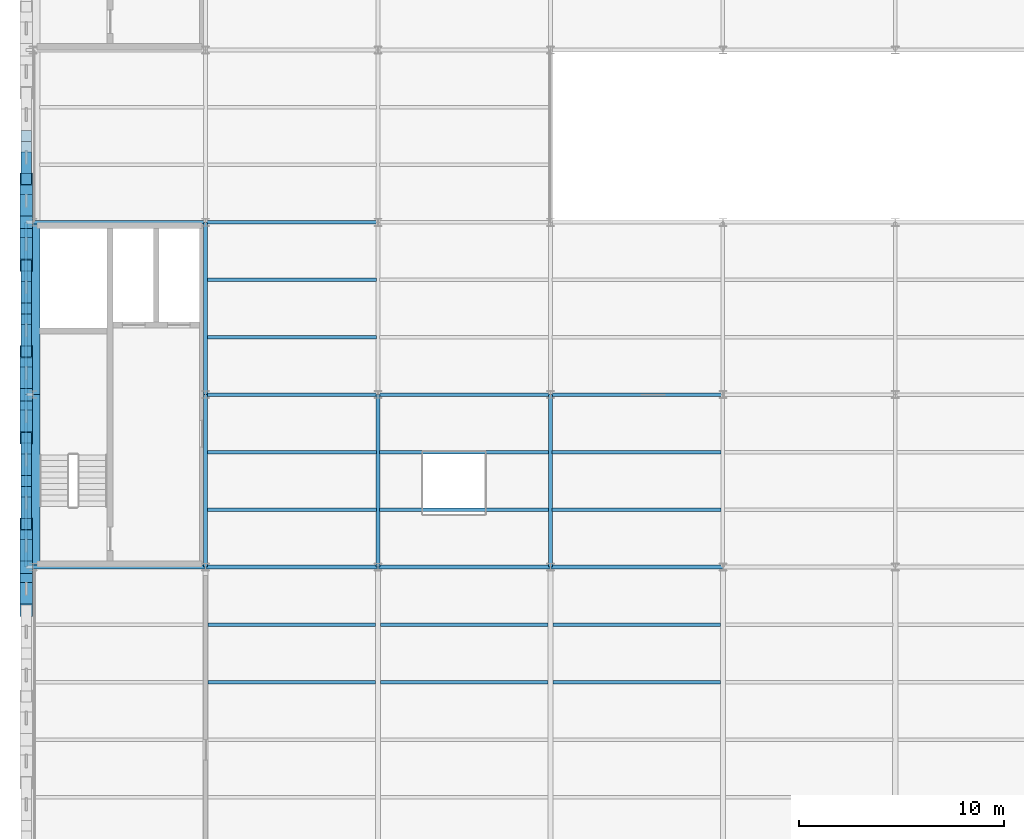
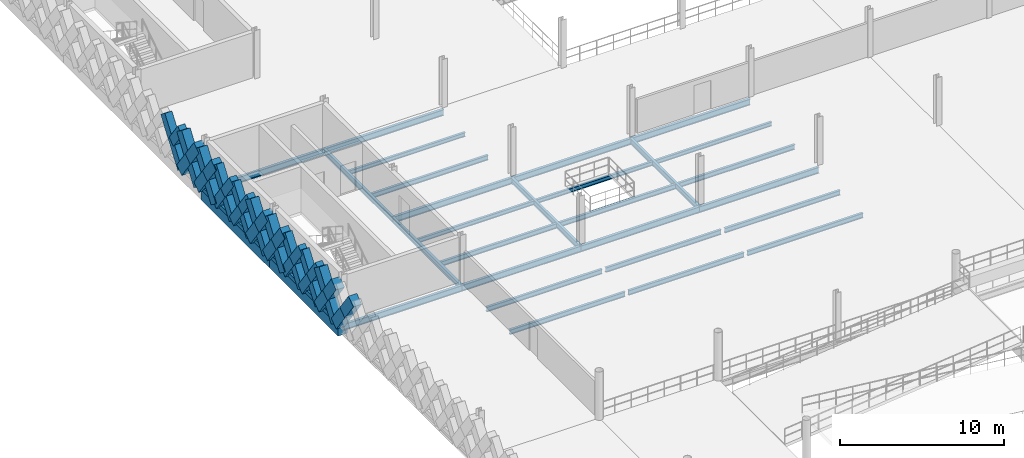
# One storey, part 17 of 62: 33 members, 29 beams.
"""IFC4 building model written with IfcOpenShell, lengths in metres."""

from ifc_helpers import new_model, si_unit, direction, frame, origin, origin_2d, place, context, subcontext, project, spatial, rectangle, hollow_rectangle, i_section, extrude, material, material_profile, profile_set, type_object, element, save


model = new_model("IFC4")

# Units and contexts
model_context = context("Model", 3, precision=1e-05, world=origin(), true_north=direction((0.0, 1.0)))
body_context = subcontext(model_context, "Body", "Model", "MODEL_VIEW")
ifc_project = project(units=[si_unit("LENGTHUNIT", "METRE"), si_unit("AREAUNIT", "SQUARE_METRE"), si_unit("VOLUMEUNIT", "CUBIC_METRE"), si_unit("PLANEANGLEUNIT", "RADIAN"), si_unit("MASSUNIT", "GRAM", prefix="KILO"), si_unit("THERMODYNAMICTEMPERATUREUNIT", "KELVIN"), si_unit("POWERUNIT", "WATT")], contexts=[model_context])

# Site, building, storey
site_placement = place(None, origin())
site = spatial("IfcSite", under=ifc_project, at=site_placement, CompositionType="ELEMENT")
building_placement = place(site_placement, origin())
building = spatial("IfcBuilding", under=site, at=building_placement, Name="Tembeka Court Mobility Hub", CompositionType="ELEMENT")
storey_placement = place(building_placement, frame((0.0, 0.0, 16.199951171875)))
storey = spatial("IfcBuildingStorey", under=building, at=storey_placement, Name="L04", CompositionType="ELEMENT", Elevation=16.199951171875)

# Beams
ifc_material_1 = material(Name="Steel S355", Category="steel")
ifc_material_profile_1 = material_profile(ifc_material_1, i_section(OverallWidth=0.18994140625, OverallDepth=0.45703125, WebThickness=0.009033203125, FlangeThickness=0.014404296875, FilletRadius=0.01025390625, at=origin_2d()), Name="UKB 457x191x74")
ifc_profile_set_1 = profile_set([ifc_material_profile_1], Name="Steel S355")
beam_type_1 = type_object("IfcBeamType", Name="BM-B01", PredefinedType="BEAM", material=ifc_profile_set_1)
beam_1_placement = place(storey_placement, frame((0.0, 38.39990234375, -0.448486328125), z_axis=(1.0, 0.0, 0.0), x_axis=(0.0, 1.0, 0.0)))
element("IfcBeam", 1, at=beam_1_placement, inside=storey, type_object=beam_type_1, Name="Beam B01 (BM-L04-X2221)", PredefinedType="BEAM", context=body_context, shape_type="SweptSolid", body=[
    extrude(i_section(OverallWidth=0.18994140625, OverallDepth=0.45703125, WebThickness=0.009033203125, FlangeThickness=0.014404296875, FilletRadius=0.01025390625, at=origin_2d()), origin(), (0.0, 0.0, 1.0), 8.39990234375),
])
beam_2_placement = place(storey_placement, frame((8.39990234375, 38.39990234375, -0.448486328125), z_axis=(1.0, 0.0, 0.0), x_axis=(0.0, 1.0, 0.0)))
element("IfcBeam", 2, at=beam_2_placement, inside=storey, type_object=beam_type_1, Name="Beam B01 (BM-L04-X2222)", PredefinedType="BEAM", context=body_context, shape_type="SweptSolid", body=[
    extrude(i_section(OverallWidth=0.18994140625, OverallDepth=0.45703125, WebThickness=0.009033203125, FlangeThickness=0.014404296875, FilletRadius=0.01025390625, at=origin_2d()), origin(), (0.0, 0.0, 1.0), 8.400146484375),
])
beam_3_placement = place(storey_placement, frame((16.800048828125, 38.39990234375, -0.448486328125), z_axis=(1.0, 0.0, 0.0), x_axis=(0.0, 1.0, 0.0)))
element("IfcBeam", 3, at=beam_3_placement, inside=storey, type_object=beam_type_1, Name="Beam B01 (BM-L04-X2223)", PredefinedType="BEAM", context=body_context, shape_type="SweptSolid", body=[
    extrude(i_section(OverallWidth=0.18994140625, OverallDepth=0.45703125, WebThickness=0.009033203125, FlangeThickness=0.014404296875, FilletRadius=0.01025390625, at=origin_2d()), origin(), (0.0, 0.0, 1.0), 8.39990234375),
])
for number, where, z_axis, x_axis, name in (
    (4, (25.199951171875, 38.39990234375, -0.448486328125), (1.0, 0.0, 0.0), (0.0, 1.0, 0.0), "Beam B01 (BM-L04-X2224)"),
    (5, (8.39990234375, 46.800048828125, -0.448486328125), (1.0, 0.0, 0.0), (0.0, 1.0, 0.0), "Beam B01 (BM-L04-X2234)"),
):
    element("IfcBeam", number, at=place(storey_placement, frame(where, z_axis=z_axis, x_axis=x_axis)), inside=storey, type_object=beam_type_1, Name=name, PredefinedType="BEAM", context=body_context, shape_type="SweptSolid", body=[
        extrude(i_section(OverallWidth=0.18994140625, OverallDepth=0.45703125, WebThickness=0.009033203125, FlangeThickness=0.014404296875, FilletRadius=0.01025390625, at=origin_2d()), origin(), (0.0, 0.0, 1.0), 8.400146484375),
    ])
beam_4_placement = place(storey_placement, frame((16.800048828125, 46.800048828125, -0.448486328125), z_axis=(1.0, 0.0, 0.0), x_axis=(0.0, 1.0, 0.0)))
element("IfcBeam", 6, at=beam_4_placement, inside=storey, type_object=beam_type_1, Name="Beam B01 (BM-L04-X2235)", PredefinedType="BEAM", context=body_context, shape_type="SweptSolid", body=[
    extrude(i_section(OverallWidth=0.18994140625, OverallDepth=0.45703125, WebThickness=0.009033203125, FlangeThickness=0.014404296875, FilletRadius=0.01025390625, at=origin_2d()), origin(), (0.0, 0.0, 1.0), 8.39990234375),
])
beam_5_placement = place(storey_placement, frame((25.199951171875, 46.800048828125, -0.448486328125), z_axis=(1.0, 0.0, 0.0), x_axis=(0.0, 1.0, 0.0)))
element("IfcBeam", 7, at=beam_5_placement, inside=storey, type_object=beam_type_1, Name="Beam B01 (BM-L04-X2236)", PredefinedType="BEAM", context=body_context, shape_type="SweptSolid", body=[
    extrude(i_section(OverallWidth=0.18994140625, OverallDepth=0.45703125, WebThickness=0.009033203125, FlangeThickness=0.014404296875, FilletRadius=0.01025390625, at=origin_2d()), origin(), (0.0, 0.0, 1.0), 8.400146484375),
])
beam_6_placement = place(storey_placement, frame((0.0, 55.199951171875, -0.448486328125), z_axis=(1.0, 0.0, 0.0), x_axis=(0.0, 1.0, 0.0)))
element("IfcBeam", 8, at=beam_6_placement, inside=storey, type_object=beam_type_1, Name="Beam B01 (BM-L04-X2245)", PredefinedType="BEAM", context=body_context, shape_type="SweptSolid", body=[
    extrude(i_section(OverallWidth=0.18994140625, OverallDepth=0.45703125, WebThickness=0.009033203125, FlangeThickness=0.014404296875, FilletRadius=0.01025390625, at=origin_2d()), origin(), (0.0, 0.0, 1.0), 8.39990234375),
])
beam_7_placement = place(storey_placement, frame((8.39990234375, 55.199951171875, -0.448486328125), z_axis=(1.0, 0.0, 0.0), x_axis=(0.0, 1.0, 0.0)))
element("IfcBeam", 9, at=beam_7_placement, inside=storey, type_object=beam_type_1, Name="Beam B01 (BM-L04-X2246)", PredefinedType="BEAM", context=body_context, shape_type="SweptSolid", body=[
    extrude(i_section(OverallWidth=0.18994140625, OverallDepth=0.45703125, WebThickness=0.009033203125, FlangeThickness=0.014404296875, FilletRadius=0.01025390625, at=origin_2d()), origin(), (0.0, 0.0, 1.0), 8.400146484375),
])
ifc_material_profile_2 = material_profile(ifc_material_1, i_section(OverallWidth=0.177978515625, OverallDepth=0.406005859375, WebThickness=0.0078125, FlangeThickness=0.0126953125, FilletRadius=0.01025390625, at=origin_2d()), Name="UKB 406x178x60")
ifc_profile_set_2 = profile_set([ifc_material_profile_2], Name="Steel S355")
beam_type_2 = type_object("IfcBeamType", Name="BM-B02", PredefinedType="BEAM", material=ifc_profile_set_2)
beam_8_placement = place(storey_placement, frame((8.39990234375, 38.39990234375, -0.4228515625), z_axis=(0.0, 1.0, 0.0), x_axis=(-1.0, 0.0, 0.0)))
element("IfcBeam", 10, at=beam_8_placement, inside=storey, type_object=beam_type_2, Name="Beam B02 (BM-L04-Y2327)", PredefinedType="BEAM", context=body_context, shape_type="SweptSolid", body=[
    extrude(i_section(OverallWidth=0.177978515625, OverallDepth=0.406005859375, WebThickness=0.0078125, FlangeThickness=0.0126953125, FilletRadius=0.01025390625, at=origin_2d()), origin(), (0.0, 0.0, 1.0), 8.400146484375),
])
beam_9_placement = place(storey_placement, frame((8.39990234375, 46.800048828125, -0.4228515625), z_axis=(0.0, 1.0, 0.0), x_axis=(-1.0, 0.0, 0.0)))
element("IfcBeam", 11, at=beam_9_placement, inside=storey, type_object=beam_type_2, Name="Beam B02 (BM-L04-Y2328)", PredefinedType="BEAM", context=body_context, shape_type="SweptSolid", body=[
    extrude(i_section(OverallWidth=0.177978515625, OverallDepth=0.406005859375, WebThickness=0.0078125, FlangeThickness=0.0126953125, FilletRadius=0.01025390625, at=origin_2d()), origin(), (0.0, 0.0, 1.0), 8.39990234375),
])
for number, where, z_axis, x_axis, name in (
    (12, (16.800048828125, 38.39990234375, -0.4228515625), (0.0, 1.0, 0.0), (-1.0, 0.0, 0.0), "Beam B02 (BM-L04-Y2338)"),
    (13, (25.199951171875, 38.39990234375, -0.4228515625), (0.0, 1.0, 0.0), (-1.0, 0.0, 0.0), "Beam B02 (BM-L04-Y2347)"),
):
    element("IfcBeam", number, at=place(storey_placement, frame(where, z_axis=z_axis, x_axis=x_axis)), inside=storey, type_object=beam_type_2, Name=name, PredefinedType="BEAM", context=body_context, shape_type="SweptSolid", body=[
        extrude(i_section(OverallWidth=0.177978515625, OverallDepth=0.406005859375, WebThickness=0.0078125, FlangeThickness=0.0126953125, FilletRadius=0.01025390625, at=origin_2d()), origin(), (0.0, 0.0, 1.0), 8.400146484375),
    ])
ifc_material_profile_3 = material_profile(ifc_material_1, i_section(OverallWidth=0.172119140625, OverallDepth=0.35498046875, WebThickness=0.00732421875, FlangeThickness=0.011474609375, FilletRadius=0.01025390625, at=origin_2d()), Name="UKB 356x171x51")
ifc_profile_set_3 = profile_set([ifc_material_profile_3], Name="Steel S355")
beam_type_3 = type_object("IfcBeamType", Name="BM-J01", PredefinedType="JOIST", material=ifc_profile_set_3)
for number, where, z_axis, x_axis, name in (
    (14, (8.52197265625, 32.800048828125, -0.3974609375), (1.0, 0.0, 0.0), (0.0, 1.0, 0.0), "Beam J01 (JST-L04-2453)"),
    (15, (8.52197265625, 35.60009765625, -0.3974609375), (1.0, 0.0, 0.0), (0.0, 1.0, 0.0), "Beam J01 (JST-L04-2454)"),
):
    element("IfcBeam", number, at=place(storey_placement, frame(where, z_axis=z_axis, x_axis=x_axis)), inside=storey, type_object=beam_type_3, Name=name, PredefinedType="JOIST", context=body_context, shape_type="SweptSolid", body=[
        extrude(i_section(OverallWidth=0.172119140625, OverallDepth=0.35498046875, WebThickness=0.00732421875, FlangeThickness=0.011474609375, FilletRadius=0.01025390625, at=origin_2d()), origin(), (0.0, 0.0, 1.0), 8.156005859375),
    ])
for number, where, z_axis, x_axis, name in (
    (16, (16.922119140625, 32.800048828125, -0.3974609375), (1.0, 0.0, 0.0), (0.0, 1.0, 0.0), "Beam J01 (JST-L04-2473)"),
    (17, (16.922119140625, 35.60009765625, -0.3974609375), (1.0, 0.0, 0.0), (0.0, 1.0, 0.0), "Beam J01 (JST-L04-2474)"),
):
    element("IfcBeam", number, at=place(storey_placement, frame(where, z_axis=z_axis, x_axis=x_axis)), inside=storey, type_object=beam_type_3, Name=name, PredefinedType="JOIST", context=body_context, shape_type="SweptSolid", body=[
        extrude(i_section(OverallWidth=0.172119140625, OverallDepth=0.35498046875, WebThickness=0.00732421875, FlangeThickness=0.011474609375, FilletRadius=0.01025390625, at=origin_2d()), origin(), (0.0, 0.0, 1.0), 8.15576171875),
    ])
for number, where, z_axis, x_axis, name in (
    (18, (25.322021484375, 32.800048828125, -0.3974609375), (1.0, 0.0, 0.0), (0.0, 1.0, 0.0), "Beam J01 (JST-L04-2493)"),
    (19, (25.322021484375, 35.60009765625, -0.3974609375), (1.0, 0.0, 0.0), (0.0, 1.0, 0.0), "Beam J01 (JST-L04-2494)"),
):
    element("IfcBeam", number, at=place(storey_placement, frame(where, z_axis=z_axis, x_axis=x_axis)), inside=storey, type_object=beam_type_3, Name=name, PredefinedType="JOIST", context=body_context, shape_type="SweptSolid", body=[
        extrude(i_section(OverallWidth=0.172119140625, OverallDepth=0.35498046875, WebThickness=0.00732421875, FlangeThickness=0.011474609375, FilletRadius=0.01025390625, at=origin_2d()), origin(), (0.0, 0.0, 1.0), 8.156005859375),
    ])
ifc_material_profile_4 = material_profile(ifc_material_1, i_section(OverallWidth=0.1650390625, OverallDepth=0.303955078125, WebThickness=0.006103515625, FlangeThickness=0.01025390625, FilletRadius=0.0087890625, at=origin_2d()), Name="UKB 305x165x40")
ifc_profile_set_4 = profile_set([ifc_material_profile_4], Name="Steel S355")
beam_type_4 = type_object("IfcBeamType", Name="BM-J02", PredefinedType="JOIST", material=ifc_profile_set_4)
for number, where, z_axis, x_axis, name in (
    (20, (8.48388671875, 44.0, -0.3720703125), (1.0, 0.0, 0.0), (0.0, 1.0, 0.0), "Beam J02 (JST-L04-2456)"),
    (21, (8.48388671875, 52.39990234375, -0.3720703125), (1.0, 0.0, 0.0), (0.0, 1.0, 0.0), "Beam J02 (JST-L04-2458)"),
):
    element("IfcBeam", number, at=place(storey_placement, frame(where, z_axis=z_axis, x_axis=x_axis)), inside=storey, type_object=beam_type_4, Name=name, PredefinedType="JOIST", context=body_context, shape_type="SweptSolid", body=[
        extrude(i_section(OverallWidth=0.1650390625, OverallDepth=0.303955078125, WebThickness=0.006103515625, FlangeThickness=0.01025390625, FilletRadius=0.0087890625, at=origin_2d()), origin(), (0.0, 0.0, 1.0), 8.232177734375),
    ])
beam_10_placement = place(storey_placement, frame((16.884033203125, 44.0, -0.3720703125), z_axis=(1.0, 0.0, 0.0), x_axis=(0.0, 1.0, 0.0)))
element("IfcBeam", 22, at=beam_10_placement, inside=storey, type_object=beam_type_4, Name="Beam J02 (JST-L04-2476)", PredefinedType="JOIST", context=body_context, shape_type="SweptSolid", body=[
    extrude(i_section(OverallWidth=0.1650390625, OverallDepth=0.303955078125, WebThickness=0.006103515625, FlangeThickness=0.01025390625, FilletRadius=0.0087890625, at=origin_2d()), origin(), (0.0, 0.0, 1.0), 8.23193359375),
])
beam_11_placement = place(storey_placement, frame((25.283935546875, 44.0, -0.3720703125), z_axis=(1.0, 0.0, 0.0), x_axis=(0.0, 1.0, 0.0)))
element("IfcBeam", 23, at=beam_11_placement, inside=storey, type_object=beam_type_4, Name="Beam J02 (JST-L04-2496)", PredefinedType="JOIST", context=body_context, shape_type="SweptSolid", body=[
    extrude(i_section(OverallWidth=0.1650390625, OverallDepth=0.303955078125, WebThickness=0.006103515625, FlangeThickness=0.01025390625, FilletRadius=0.0087890625, at=origin_2d()), origin(), (0.0, 0.0, 1.0), 8.232177734375),
])
ifc_material_profile_5 = material_profile(ifc_material_1, i_section(OverallWidth=0.169921875, OverallDepth=0.360107421875, WebThickness=0.008056640625, FlangeThickness=0.0126953125, FilletRadius=0.01806640625, at=origin_2d()), Name="IPE 360")
ifc_profile_set_5 = profile_set([ifc_material_profile_5], Name="Steel S355")
beam_type_5 = type_object("IfcBeamType", Name="BM-J03", PredefinedType="JOIST", material=ifc_profile_set_5)
for number, where, z_axis, x_axis, name in (
    (24, (8.48388671875, 41.199951171875, -0.39990234375), (1.0, 0.0, 0.0), (0.0, 1.0, 0.0), "Beam J03 (JST-L04-2455)"),
    (25, (8.48388671875, 49.60009765625, -0.39990234375), (1.0, 0.0, 0.0), (0.0, 1.0, 0.0), "Beam J03 (JST-L04-2457)"),
):
    element("IfcBeam", number, at=place(storey_placement, frame(where, z_axis=z_axis, x_axis=x_axis)), inside=storey, type_object=beam_type_5, Name=name, PredefinedType="JOIST", context=body_context, shape_type="SweptSolid", body=[
        extrude(i_section(OverallWidth=0.169921875, OverallDepth=0.360107421875, WebThickness=0.008056640625, FlangeThickness=0.0126953125, FilletRadius=0.01806640625, at=origin_2d()), origin(), (0.0, 0.0, 1.0), 8.232177734375),
    ])
beam_12_placement = place(storey_placement, frame((16.884033203125, 41.199951171875, -0.39990234375), z_axis=(1.0, 0.0, 0.0), x_axis=(0.0, 1.0, 0.0)))
element("IfcBeam", 26, at=beam_12_placement, inside=storey, type_object=beam_type_5, Name="Beam J03 (JST-L04-2475)", PredefinedType="JOIST", context=body_context, shape_type="SweptSolid", body=[
    extrude(i_section(OverallWidth=0.169921875, OverallDepth=0.360107421875, WebThickness=0.008056640625, FlangeThickness=0.0126953125, FilletRadius=0.01806640625, at=origin_2d()), origin(), (0.0, 0.0, 1.0), 8.23193359375),
])
beam_13_placement = place(storey_placement, frame((25.283935546875, 41.199951171875, -0.39990234375), z_axis=(1.0, 0.0, 0.0), x_axis=(0.0, 1.0, 0.0)))
element("IfcBeam", 27, at=beam_13_placement, inside=storey, type_object=beam_type_5, Name="Beam J03 (JST-L04-2495)", PredefinedType="JOIST", context=body_context, shape_type="SweptSolid", body=[
    extrude(i_section(OverallWidth=0.169921875, OverallDepth=0.360107421875, WebThickness=0.008056640625, FlangeThickness=0.0126953125, FilletRadius=0.01806640625, at=origin_2d()), origin(), (0.0, 0.0, 1.0), 8.232177734375),
])
ifc_material_2 = material(Name="Precast concrete C45/55", Category="concrete")
ifc_material_profile_6 = material_profile(ifc_material_2, rectangle(XDim=0.64990234375, YDim=0.800048828125, at=origin_2d()), Name="PC-SP 650x800")
ifc_profile_set_6 = profile_set([ifc_material_profile_6], Name="Precast concrete C45/55")
beam_type_6 = type_object("IfcBeamType", Name="BM-SP01", PredefinedType="SPANDREL", material=ifc_profile_set_6)
beam_14_placement = place(storey_placement, frame((0.0, 38.39990234375, -0.619873046875), z_axis=(0.0, 1.0, 0.0), x_axis=(-1.0, 0.0, 0.0)))
element("IfcBeam", 28, at=beam_14_placement, inside=storey, type_object=beam_type_6, Name="Beam SP01 (BM-L04-Y2316)", PredefinedType="SPANDREL", context=body_context, shape_type="SweptSolid", body=[
    extrude(rectangle(XDim=0.64990234375, YDim=0.800048828125, at=origin_2d()), origin(), (0.0, 0.0, 1.0), 8.400146484375),
])
beam_15_placement = place(storey_placement, frame((0.0, 46.800048828125, -0.619873046875), z_axis=(0.0, 1.0, 0.0), x_axis=(-1.0, 0.0, 0.0)))
element("IfcBeam", 29, at=beam_15_placement, inside=storey, type_object=beam_type_6, Name="Beam SP01 (BM-L04-Y2317)", PredefinedType="SPANDREL", context=body_context, shape_type="SweptSolid", body=[
    extrude(rectangle(XDim=0.64990234375, YDim=0.800048828125, at=origin_2d()), origin(), (0.0, 0.0, 1.0), 8.39990234375),
])

# Members
ifc_material_profile_7 = material_profile(ifc_material_2, rectangle(XDim=0.5, YDim=0.64990234375, at=origin_2d()), Name="PC-DIAG 500x650")
ifc_profile_set_7 = profile_set([ifc_material_profile_7], Name="Precast concrete C45/55")
member_type_1 = type_object("IfcMemberType", Name="MEM-DL01", PredefinedType="BRACE", material=ifc_profile_set_7)
member_1_placement = place(storey_placement, frame((-0.340087890625, 40.5, 0.02001953125), z_axis=(0.0, 0.582576362011, 0.812775973086), x_axis=(-1.0, 0.0, 0.0)))
element("IfcMember", 30, at=member_1_placement, inside=storey, type_object=member_type_1, Name="Precast diamond lattice continuous strand DL01 (L04-696C)", PredefinedType="BRACE", context=body_context, shape_type="SweptSolid", body=[
    extrude(rectangle(XDim=0.5, YDim=0.64990234375, at=origin_2d()), origin(), (0.0, 0.0, 1.0), 3.604736328125),
])
member_2_placement = place(storey_placement, frame((-0.340087890625, 42.60009765625, 0.02001953125), z_axis=(0.0, -0.582544294934, 0.812798956963), x_axis=(1.0, 0.0, 0.0)))
element("IfcMember", 31, at=member_2_placement, inside=storey, type_object=member_type_1, Name="Precast diamond lattice split lower strand DL01 (L04-696D1)", PredefinedType="BRACE", context=body_context, shape_type="SweptSolid", body=[
    extrude(rectangle(XDim=0.5, YDim=0.64990234375, at=origin_2d()), origin(), (0.0, 0.0, 1.0), 1.802490234375),
])
member_3_placement = place(storey_placement, frame((-0.340087890625, 41.550048828125, 1.485107421875), z_axis=(0.0, -0.582608431711, 0.812752985414), x_axis=(1.0, 0.0, 0.0)))
element("IfcMember", 32, at=member_3_placement, inside=storey, type_object=member_type_1, Name="Precast diamond lattice split upper strand DL01 (L04-696D2)", PredefinedType="BRACE", context=body_context, shape_type="SweptSolid", body=[
    extrude(rectangle(XDim=0.5, YDim=0.64990234375, at=origin_2d()), origin(), (0.0, 0.0, 1.0), 1.80224609375),
])
member_4_placement = place(storey_placement, frame((-0.340087890625, 42.60009765625, 0.02001953125), z_axis=(0.0, 0.58253161945, 0.812808041509), x_axis=(-1.0, 0.0, 0.0)))
element("IfcMember", 33, at=member_4_placement, inside=storey, type_object=member_type_1, Name="Precast diamond lattice continuous strand DL01 (L04-697C)", PredefinedType="BRACE", context=body_context, shape_type="SweptSolid", body=[
    extrude(rectangle(XDim=0.5, YDim=0.64990234375, at=origin_2d()), origin(), (0.0, 0.0, 1.0), 3.604736328125),
])
member_5_placement = place(storey_placement, frame((-0.340087890625, 44.699951171875, 0.02001953125), z_axis=(0.0, -0.582544294934, 0.812798956963), x_axis=(1.0, 0.0, 0.0)))
element("IfcMember", 34, at=member_5_placement, inside=storey, type_object=member_type_1, Name="Precast diamond lattice split lower strand DL01 (L04-697D1)", PredefinedType="BRACE", context=body_context, shape_type="SweptSolid", body=[
    extrude(rectangle(XDim=0.5, YDim=0.64990234375, at=origin_2d()), origin(), (0.0, 0.0, 1.0), 1.802490234375),
])
member_6_placement = place(storey_placement, frame((-0.340087890625, 43.64990234375, 1.485107421875), z_axis=(0.0, -0.582518941428, 0.812817127574), x_axis=(1.0, 0.0, 0.0)))
element("IfcMember", 35, at=member_6_placement, inside=storey, type_object=member_type_1, Name="Precast diamond lattice split upper strand DL01 (L04-697D2)", PredefinedType="BRACE", context=body_context, shape_type="SweptSolid", body=[
    extrude(rectangle(XDim=0.5, YDim=0.64990234375, at=origin_2d()), origin(), (0.0, 0.0, 1.0), 1.80224609375),
])
member_7_placement = place(storey_placement, frame((-0.340087890625, 48.89990234375, 0.02001953125), z_axis=(0.0, 0.582576362011, 0.812775973086), x_axis=(-1.0, 0.0, 0.0)))
element("IfcMember", 36, at=member_7_placement, inside=storey, type_object=member_type_1, Name="Precast diamond lattice continuous strand DL01 (L04-700C)", PredefinedType="BRACE", context=body_context, shape_type="SweptSolid", body=[
    extrude(rectangle(XDim=0.5, YDim=0.64990234375, at=origin_2d()), origin(), (0.0, 0.0, 1.0), 3.604736328125),
])
member_8_placement = place(storey_placement, frame((-0.340087890625, 51.0, 0.02001953125), z_axis=(0.0, -0.582544294934, 0.812798956963), x_axis=(1.0, 0.0, 0.0)))
element("IfcMember", 37, at=member_8_placement, inside=storey, type_object=member_type_1, Name="Precast diamond lattice split lower strand DL01 (L04-700D1)", PredefinedType="BRACE", context=body_context, shape_type="SweptSolid", body=[
    extrude(rectangle(XDim=0.5, YDim=0.64990234375, at=origin_2d()), origin(), (0.0, 0.0, 1.0), 1.802490234375),
])
member_9_placement = place(storey_placement, frame((-0.340087890625, 49.949951171875, 1.485107421875), z_axis=(0.0, -0.582608431711, 0.812752985414), x_axis=(1.0, 0.0, 0.0)))
element("IfcMember", 38, at=member_9_placement, inside=storey, type_object=member_type_1, Name="Precast diamond lattice split upper strand DL01 (L04-700D2)", PredefinedType="BRACE", context=body_context, shape_type="SweptSolid", body=[
    extrude(rectangle(XDim=0.5, YDim=0.64990234375, at=origin_2d()), origin(), (0.0, 0.0, 1.0), 1.80224609375),
])
member_10_placement = place(storey_placement, frame((-0.340087890625, 51.0, 0.02001953125), z_axis=(0.0, 0.582576362011, 0.812775973086), x_axis=(-1.0, 0.0, 0.0)))
element("IfcMember", 39, at=member_10_placement, inside=storey, type_object=member_type_1, Name="Precast diamond lattice continuous strand DL01 (L04-701C)", PredefinedType="BRACE", context=body_context, shape_type="SweptSolid", body=[
    extrude(rectangle(XDim=0.5, YDim=0.64990234375, at=origin_2d()), origin(), (0.0, 0.0, 1.0), 3.604736328125),
])
member_11_placement = place(storey_placement, frame((-0.340087890625, 53.10009765625, 0.02001953125), z_axis=(0.0, -0.582544294934, 0.812798956963), x_axis=(1.0, 0.0, 0.0)))
element("IfcMember", 40, at=member_11_placement, inside=storey, type_object=member_type_1, Name="Precast diamond lattice split lower strand DL01 (L04-701D1)", PredefinedType="BRACE", context=body_context, shape_type="SweptSolid", body=[
    extrude(rectangle(XDim=0.5, YDim=0.64990234375, at=origin_2d()), origin(), (0.0, 0.0, 1.0), 1.802490234375),
])
member_12_placement = place(storey_placement, frame((-0.340087890625, 52.050048828125, 1.485107421875), z_axis=(0.0, -0.582608431711, 0.812752985414), x_axis=(1.0, 0.0, 0.0)))
element("IfcMember", 41, at=member_12_placement, inside=storey, type_object=member_type_1, Name="Precast diamond lattice split upper strand DL01 (L04-701D2)", PredefinedType="BRACE", context=body_context, shape_type="SweptSolid", body=[
    extrude(rectangle(XDim=0.5, YDim=0.64990234375, at=origin_2d()), origin(), (0.0, 0.0, 1.0), 1.80224609375),
])
member_13_placement = place(storey_placement, frame((-0.340087890625, 57.300048828125, 0.02001953125), z_axis=(0.0, 0.58253161945, 0.812808041509), x_axis=(-1.0, 0.0, 0.0)))
element("IfcMember", 42, at=member_13_placement, inside=storey, type_object=member_type_1, Name="Precast diamond lattice continuous strand DL01 (L04-704C)", PredefinedType="BRACE", context=body_context, shape_type="SweptSolid", body=[
    extrude(rectangle(XDim=0.5, YDim=0.64990234375, at=origin_2d()), origin(), (0.0, 0.0, 1.0), 3.604736328125),
])
member_14_placement = place(storey_placement, frame((-0.340087890625, 58.35009765625, 1.485107421875), z_axis=(0.0, -0.582608431711, 0.812752985414), x_axis=(1.0, 0.0, 0.0)))
element("IfcMember", 43, at=member_14_placement, inside=storey, type_object=member_type_1, Name="Precast diamond lattice split upper strand DL01 (L04-704D2)", PredefinedType="BRACE", context=body_context, shape_type="SweptSolid", body=[
    extrude(rectangle(XDim=0.5, YDim=0.64990234375, at=origin_2d()), origin(), (0.0, 0.0, 1.0), 1.80224609375),
])
ifc_material_profile_8 = material_profile(ifc_material_2, rectangle(XDim=0.60009765625, YDim=0.75, at=origin_2d()), Name="PC-DIAG 600x750")
ifc_profile_set_8 = profile_set([ifc_material_profile_8], Name="Precast concrete C45/55")
member_type_2 = type_object("IfcMemberType", Name="MEM-DL02", PredefinedType="BRACE", material=ifc_profile_set_8)
member_15_placement = place(storey_placement, frame((-0.340087890625, 38.39990234375, 0.02001953125), z_axis=(0.0, -0.582454804382, 0.812863088627), x_axis=(1.0, 0.0, 0.0)))
element("IfcMember", 44, at=member_15_placement, inside=storey, type_object=member_type_2, Name="Precast diamond lattice split lower strand DL02 (L04-694D1)", PredefinedType="BRACE", context=body_context, shape_type="SweptSolid", body=[
    extrude(rectangle(XDim=0.60009765625, YDim=0.75, at=origin_2d()), origin(), (0.0, 0.0, 1.0), 1.802490234375),
])
member_16_placement = place(storey_placement, frame((-0.340087890625, 37.35009765625, 1.485107421875), z_axis=(0.0, -0.582608431711, 0.812752985414), x_axis=(1.0, 0.0, 0.0)))
element("IfcMember", 45, at=member_16_placement, inside=storey, type_object=member_type_2, Name="Precast diamond lattice split upper strand DL02 (L04-694D2)", PredefinedType="BRACE", context=body_context, shape_type="SweptSolid", body=[
    extrude(rectangle(XDim=0.60009765625, YDim=0.75, at=origin_2d()), origin(), (0.0, 0.0, 1.0), 1.80224609375),
])
member_17_placement = place(storey_placement, frame((-0.340087890625, 38.39990234375, 0.02001953125), z_axis=(0.0, 0.582576362011, 0.812775973086), x_axis=(-1.0, 0.0, 0.0)))
element("IfcMember", 46, at=member_17_placement, inside=storey, type_object=member_type_2, Name="Precast diamond lattice continuous strand DL02 (L04-695C)", PredefinedType="BRACE", context=body_context, shape_type="SweptSolid", body=[
    extrude(rectangle(XDim=0.60009765625, YDim=0.75, at=origin_2d()), origin(), (0.0, 0.0, 1.0), 3.604736328125),
])
member_18_placement = place(storey_placement, frame((-0.340087890625, 40.5, 0.02001953125), z_axis=(0.0, -0.582544294934, 0.812798956963), x_axis=(1.0, 0.0, 0.0)))
element("IfcMember", 47, at=member_18_placement, inside=storey, type_object=member_type_2, Name="Precast diamond lattice split lower strand DL02 (L04-695D1)", PredefinedType="BRACE", context=body_context, shape_type="SweptSolid", body=[
    extrude(rectangle(XDim=0.60009765625, YDim=0.75, at=origin_2d()), origin(), (0.0, 0.0, 1.0), 1.802490234375),
])
member_19_placement = place(storey_placement, frame((-0.340087890625, 39.449951171875, 1.485107421875), z_axis=(0.0, -0.582608431711, 0.812752985414), x_axis=(1.0, 0.0, 0.0)))
element("IfcMember", 48, at=member_19_placement, inside=storey, type_object=member_type_2, Name="Precast diamond lattice split upper strand DL02 (L04-695D2)", PredefinedType="BRACE", context=body_context, shape_type="SweptSolid", body=[
    extrude(rectangle(XDim=0.60009765625, YDim=0.75, at=origin_2d()), origin(), (0.0, 0.0, 1.0), 1.80224609375),
])
member_20_placement = place(storey_placement, frame((-0.340087890625, 44.699951171875, 0.02001953125), z_axis=(0.0, 0.582576362011, 0.812775973086), x_axis=(-1.0, 0.0, 0.0)))
element("IfcMember", 49, at=member_20_placement, inside=storey, type_object=member_type_2, Name="Precast diamond lattice continuous strand DL02 (L04-698C)", PredefinedType="BRACE", context=body_context, shape_type="SweptSolid", body=[
    extrude(rectangle(XDim=0.60009765625, YDim=0.75, at=origin_2d()), origin(), (0.0, 0.0, 1.0), 3.604736328125),
])
member_21_placement = place(storey_placement, frame((-0.340087890625, 46.800048828125, 0.02001953125), z_axis=(0.0, -0.582544294934, 0.812798956963), x_axis=(1.0, 0.0, 0.0)))
element("IfcMember", 50, at=member_21_placement, inside=storey, type_object=member_type_2, Name="Precast diamond lattice split lower strand DL02 (L04-698D1)", PredefinedType="BRACE", context=body_context, shape_type="SweptSolid", body=[
    extrude(rectangle(XDim=0.60009765625, YDim=0.75, at=origin_2d()), origin(), (0.0, 0.0, 1.0), 1.802490234375),
])
member_22_placement = place(storey_placement, frame((-0.340087890625, 45.75, 1.485107421875), z_axis=(0.0, -0.582608431711, 0.812752985414), x_axis=(1.0, 0.0, 0.0)))
element("IfcMember", 51, at=member_22_placement, inside=storey, type_object=member_type_2, Name="Precast diamond lattice split upper strand DL02 (L04-698D2)", PredefinedType="BRACE", context=body_context, shape_type="SweptSolid", body=[
    extrude(rectangle(XDim=0.60009765625, YDim=0.75, at=origin_2d()), origin(), (0.0, 0.0, 1.0), 1.80224609375),
])
member_23_placement = place(storey_placement, frame((-0.340087890625, 46.800048828125, 0.02001953125), z_axis=(0.0, 0.58253161945, 0.812808041509), x_axis=(-1.0, 0.0, 0.0)))
element("IfcMember", 52, at=member_23_placement, inside=storey, type_object=member_type_2, Name="Precast diamond lattice continuous strand DL02 (L04-699C)", PredefinedType="BRACE", context=body_context, shape_type="SweptSolid", body=[
    extrude(rectangle(XDim=0.60009765625, YDim=0.75, at=origin_2d()), origin(), (0.0, 0.0, 1.0), 3.604736328125),
])
member_24_placement = place(storey_placement, frame((-0.340087890625, 48.89990234375, 0.02001953125), z_axis=(0.0, -0.582454804382, 0.812863088627), x_axis=(1.0, 0.0, 0.0)))
element("IfcMember", 53, at=member_24_placement, inside=storey, type_object=member_type_2, Name="Precast diamond lattice split lower strand DL02 (L04-699D1)", PredefinedType="BRACE", context=body_context, shape_type="SweptSolid", body=[
    extrude(rectangle(XDim=0.60009765625, YDim=0.75, at=origin_2d()), origin(), (0.0, 0.0, 1.0), 1.802490234375),
])
member_25_placement = place(storey_placement, frame((-0.340087890625, 47.85009765625, 1.485107421875), z_axis=(0.0, -0.582608431711, 0.812752985414), x_axis=(1.0, 0.0, 0.0)))
element("IfcMember", 54, at=member_25_placement, inside=storey, type_object=member_type_2, Name="Precast diamond lattice split upper strand DL02 (L04-699D2)", PredefinedType="BRACE", context=body_context, shape_type="SweptSolid", body=[
    extrude(rectangle(XDim=0.60009765625, YDim=0.75, at=origin_2d()), origin(), (0.0, 0.0, 1.0), 1.80224609375),
])
member_26_placement = place(storey_placement, frame((-0.340087890625, 53.10009765625, 0.02001953125), z_axis=(0.0, 0.58253161945, 0.812808041509), x_axis=(-1.0, 0.0, 0.0)))
element("IfcMember", 55, at=member_26_placement, inside=storey, type_object=member_type_2, Name="Precast diamond lattice continuous strand DL02 (L04-702C)", PredefinedType="BRACE", context=body_context, shape_type="SweptSolid", body=[
    extrude(rectangle(XDim=0.60009765625, YDim=0.75, at=origin_2d()), origin(), (0.0, 0.0, 1.0), 3.604736328125),
])
member_27_placement = place(storey_placement, frame((-0.340087890625, 55.199951171875, 0.02001953125), z_axis=(0.0, -0.582544294934, 0.812798956963), x_axis=(1.0, 0.0, 0.0)))
element("IfcMember", 56, at=member_27_placement, inside=storey, type_object=member_type_2, Name="Precast diamond lattice split lower strand DL02 (L04-702D1)", PredefinedType="BRACE", context=body_context, shape_type="SweptSolid", body=[
    extrude(rectangle(XDim=0.60009765625, YDim=0.75, at=origin_2d()), origin(), (0.0, 0.0, 1.0), 1.802490234375),
])
member_28_placement = place(storey_placement, frame((-0.340087890625, 54.14990234375, 1.485107421875), z_axis=(0.0, -0.582518941428, 0.812817127574), x_axis=(1.0, 0.0, 0.0)))
element("IfcMember", 57, at=member_28_placement, inside=storey, type_object=member_type_2, Name="Precast diamond lattice split upper strand DL02 (L04-702D2)", PredefinedType="BRACE", context=body_context, shape_type="SweptSolid", body=[
    extrude(rectangle(XDim=0.60009765625, YDim=0.75, at=origin_2d()), origin(), (0.0, 0.0, 1.0), 1.80224609375),
])
member_29_placement = place(storey_placement, frame((-0.340087890625, 55.199951171875, 0.02001953125), z_axis=(0.0, 0.582576362011, 0.812775973086), x_axis=(-1.0, 0.0, 0.0)))
element("IfcMember", 58, at=member_29_placement, inside=storey, type_object=member_type_2, Name="Precast diamond lattice continuous strand DL02 (L04-703C)", PredefinedType="BRACE", context=body_context, shape_type="SweptSolid", body=[
    extrude(rectangle(XDim=0.60009765625, YDim=0.75, at=origin_2d()), origin(), (0.0, 0.0, 1.0), 3.604736328125),
])
member_30_placement = place(storey_placement, frame((-0.340087890625, 57.300048828125, 0.02001953125), z_axis=(0.0, -0.582544294934, 0.812798956963), x_axis=(1.0, 0.0, 0.0)))
element("IfcMember", 59, at=member_30_placement, inside=storey, type_object=member_type_2, Name="Precast diamond lattice split lower strand DL02 (L04-703D1)", PredefinedType="BRACE", context=body_context, shape_type="SweptSolid", body=[
    extrude(rectangle(XDim=0.60009765625, YDim=0.75, at=origin_2d()), origin(), (0.0, 0.0, 1.0), 1.802490234375),
])
member_31_placement = place(storey_placement, frame((-0.340087890625, 56.25, 1.485107421875), z_axis=(0.0, -0.582608431711, 0.812752985414), x_axis=(1.0, 0.0, 0.0)))
element("IfcMember", 60, at=member_31_placement, inside=storey, type_object=member_type_2, Name="Precast diamond lattice split upper strand DL02 (L04-703D2)", PredefinedType="BRACE", context=body_context, shape_type="SweptSolid", body=[
    extrude(rectangle(XDim=0.60009765625, YDim=0.75, at=origin_2d()), origin(), (0.0, 0.0, 1.0), 1.80224609375),
])
ifc_material_profile_9 = material_profile(ifc_material_1, hollow_rectangle(XDim=0.14990234375, YDim=0.300048828125, WallThickness=0.010009765625, at=origin_2d()), Name="RHS 300x150x10")
ifc_profile_set_9 = profile_set([ifc_material_profile_9], Name="Steel S355")
member_type_3 = type_object("IfcMemberType", Name="MEM-ST03", PredefinedType="STRUT", material=ifc_profile_set_9)
member_32_placement = place(storey_placement, frame((-0.340087890625, 38.39990234375, 0.02001953125), z_axis=(0.0, 1.0, 0.0), x_axis=(-1.0, 0.0, 0.0)))
element("IfcMember", 61, at=member_32_placement, inside=storey, type_object=member_type_3, Name="Proud lattice sill tie chord SR03 (L04-W-38)", PredefinedType="STRUT", context=body_context, shape_type="SweptSolid", body=[
    extrude(hollow_rectangle(XDim=0.14990234375, YDim=0.300048828125, WallThickness=0.010009765625, at=origin_2d()), origin(), (0.0, 0.0, 1.0), 8.400146484375),
])
member_33_placement = place(storey_placement, frame((-0.340087890625, 46.800048828125, 0.02001953125), z_axis=(0.0, 1.0, 0.0), x_axis=(-1.0, 0.0, 0.0)))
element("IfcMember", 62, at=member_33_placement, inside=storey, type_object=member_type_3, Name="Proud lattice sill tie chord SR03 (L04-W-46)", PredefinedType="STRUT", context=body_context, shape_type="SweptSolid", body=[
    extrude(hollow_rectangle(XDim=0.14990234375, YDim=0.300048828125, WallThickness=0.010009765625, at=origin_2d()), origin(), (0.0, 0.0, 1.0), 8.39990234375),
])

save(model, "model.ifc")
